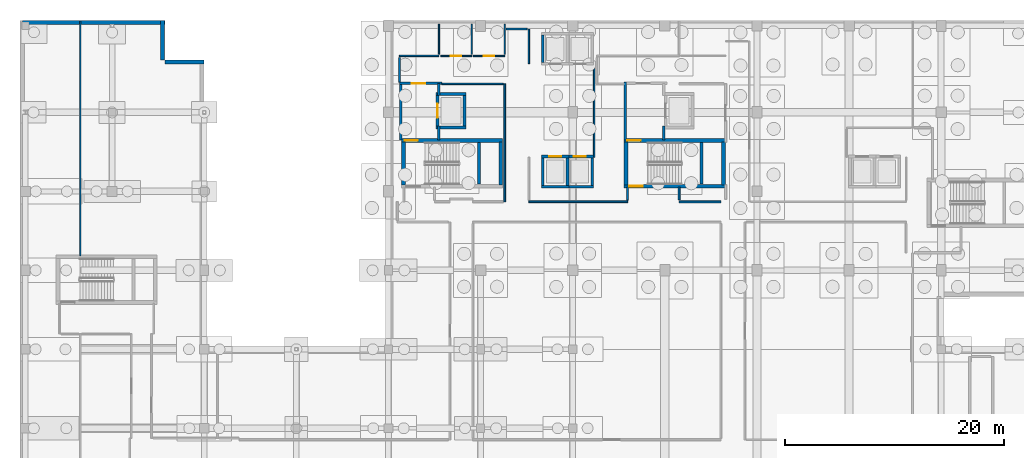
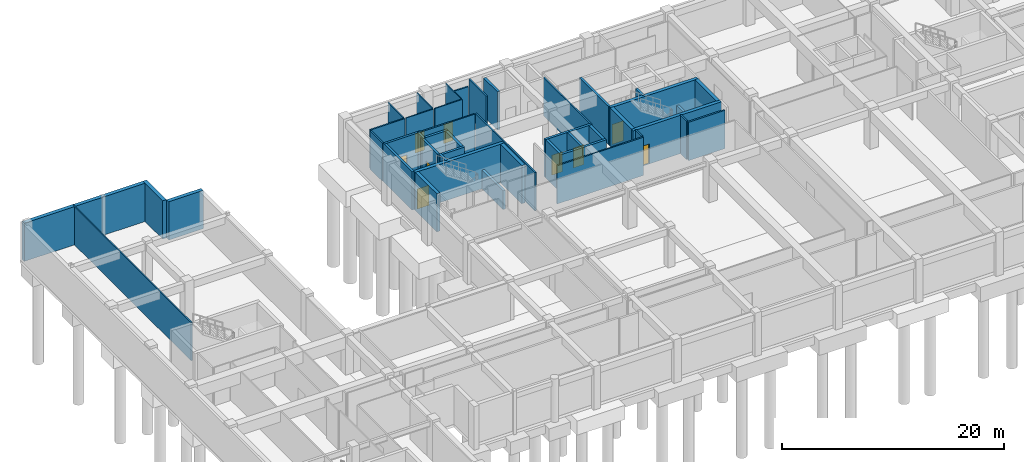
# One storey, part 30 of 42: 47 walls, 9 doors, 9 openings.
"""IFC4 building model written with IfcOpenShell, lengths in metres."""

from ifc_helpers import new_model, si_unit, direction, frame, frame_2d, origin, place, context, subcontext, project, spatial, rectangle, extrude, material, layer, layer_set, type_object, element, fill, save


model = new_model("IFC4")

# Units and contexts
model_context = context("Model", 3, precision=1e-05, world=origin(), true_north=direction((0.0, 1.0)))
body_context = subcontext(model_context, "Body", "Model", "MODEL_VIEW")
ifc_project = project(units=[si_unit("LENGTHUNIT", "METRE"), si_unit("AREAUNIT", "SQUARE_METRE"), si_unit("VOLUMEUNIT", "CUBIC_METRE"), si_unit("PLANEANGLEUNIT", "RADIAN"), si_unit("MASSUNIT", "GRAM", prefix="KILO")], contexts=[model_context])

# Site, building, storey
site_placement = place(None, origin())
site = spatial("IfcSite", under=ifc_project, at=site_placement, CompositionType="ELEMENT")
building_placement = place(site_placement, origin())
building = spatial("IfcBuilding", under=site, at=building_placement, Name="Quendrovan Civic Courthouse", CompositionType="ELEMENT")
storey_placement = place(building_placement, frame((0.0, 0.0, -4.5)))
storey = spatial("IfcBuildingStorey", under=building, at=storey_placement, Name="B1", CompositionType="ELEMENT", Elevation=-4.5)

# Walls
ifc_material_1 = material(Name="Concrete C35/45", Category="concrete")
ifc_layer_1 = layer(ifc_material_1, 0.3798828125, Name="Concrete C35/45")
ifc_layer_set_1 = layer_set([ifc_layer_1], Name="Concrete C35/45")
wall_type_1 = type_object("IfcWallType", Name="WL-BSM-RET380", PredefinedType="SOLIDWALL", material=ifc_layer_set_1)
wall_1_placement = place(storey_placement, frame((0.219970703125, 110.18994140625, 0.0), z_axis=(0.0, 0.0, 1.0), x_axis=(1.0, 0.0, 0.0)))
element("IfcWall", 1, at=wall_1_placement, inside=storey, type_object=wall_type_1, Name="B1 Perimeter Retaining Wall 002", PredefinedType="SOLIDWALL", context=body_context, shape_type="SweptSolid", body=[
    extrude(rectangle(XDim=12.97998046875, YDim=0.3798828125, at=frame_2d((6.489990234375, 0.0))), origin(), (0.0, 0.0, 1.0), 4.219970703125),
])
wall_2_placement = place(storey_placement, frame((12.989990234375, 110.39990234375, 0.0), z_axis=(0.0, 0.0, 1.0), x_axis=(0.0, -1.0, 0.0)))
element("IfcWall", 2, at=wall_2_placement, inside=storey, type_object=wall_type_1, Name="B1 Perimeter Retaining Wall 003", PredefinedType="SOLIDWALL", context=body_context, shape_type="SweptSolid", body=[
    extrude(rectangle(XDim=3.599853515625, YDim=0.3798828125, at=frame_2d((1.7998046875, 0.0))), origin(), (0.0, 0.0, 1.0), 4.219970703125),
])
wall_3_placement = place(storey_placement, frame((13.199951171875, 106.590087890625, 0.0), z_axis=(0.0, 0.0, 1.0), x_axis=(1.0, 0.0, 0.0)))
element("IfcWall", 3, at=wall_3_placement, inside=storey, type_object=wall_type_1, Name="B1 Perimeter Retaining Wall 004", PredefinedType="SOLIDWALL", context=body_context, shape_type="SweptSolid", body=[
    extrude(rectangle(XDim=3.60009765625, YDim=0.3798828125, at=frame_2d((1.800048828125, 0.0))), origin(), (0.0, 0.0, 1.0), 4.219970703125),
])

# Wall, opening, door
ifc_material_2 = material(Name="Concrete C45/55", Category="concrete")
ifc_layer_2 = layer(ifc_material_2, 0.35009765625, Name="Concrete C45/55")
ifc_layer_set_2 = layer_set([ifc_layer_2], Name="Concrete C45/55")
wall_type_2 = type_object("IfcWallType", Name="WL-CORE-350", PredefinedType="SHEAR", material=ifc_layer_set_2)
wall_4_placement = place(storey_placement, frame((44.010009765625, 99.43505859375, 0.0), z_axis=(0.0, 0.0, 1.0), x_axis=(-1.0, 0.0, 0.0)))
wall_4 = element("IfcWall", 4, at=wall_4_placement, inside=storey, type_object=wall_type_2, Name="B1 Core Shear Wall ST1-N", PredefinedType="SHEAR", context=body_context, shape_type="SweptSolid", body=[
    extrude(rectangle(XDim=9.219970703125, YDim=0.35009765625, at=frame_2d((4.60986328125, 0.0))), origin(), (0.0, 0.0, 1.0), 4.219970703125),
])
opening_1_placement = place(wall_4_placement, frame((7.719970703125, 0.0, 0.0)))
opening_1 = element("IfcOpeningElement", 5, at=opening_1_placement, cuts=wall_4, Name="Opening DFF-ST1-B1", PredefinedType="OPENING", context=body_context, shape_type="SweptSolid", body=[
    extrude(rectangle(XDim=1.199951171875, YDim=2.199951171875, at=frame_2d((0.60009765625, 1.10009765625))), frame((0.0, 0.18505859375, 0.0), z_axis=(0.0, -1.0, 0.0), x_axis=(1.0, 0.0, 0.0)), (0.0, 0.0, 1.0), 0.3701171875),
])
ifc_material_3 = material(Name="Painted galvanized hollow-metal steel", Category="steel")
door_type_1 = type_object("IfcDoorType", Name="DR-FFLOB-1200", OperationType="NOTDEFINED", PredefinedType="DOOR", material=ifc_material_3)
door_1_placement = place(opening_1_placement, origin())
door_1 = element("IfcDoor", 6, at=door_1_placement, inside=storey, type_object=door_type_1, Name="B1 Firefighting Lobby FL1 Direct Stair ST1 Door", OperationType="SINGLE_SWING_RIGHT", OverallHeight=2.199951171875, OverallWidth=1.199951171875, PredefinedType="DOOR", context=body_context, shape_type="SweptSolid", body=[
    extrude(rectangle(XDim=1.199951171875, YDim=2.199951171875, at=frame_2d((0.60009765625, 1.10009765625))), frame((0.0, 0.02490234375, 0.0), z_axis=(0.0, -1.0, 0.0), x_axis=(1.0, 0.0, 0.0)), (0.0, 0.0, 1.0), 0.050048828125),
])
fill(opening_1, door_1)

# Walls
for number, where, z_axis, x_axis, name in (
    (7, (34.965087890625, 95.39990234375, 0.0), (0.0, 0.0, 1.0), (0.0, 1.0, 0.0), "B1 Core Shear Wall ST1-W"),
    (8, (43.8349609375, 99.300048828125, 0.0), (0.0, 0.0, 1.0), (0.0, -1.0, 0.0), "B1 Core Shear Wall ST1-E"),
):
    element("IfcWall", number, at=place(storey_placement, frame(where, z_axis=z_axis, x_axis=x_axis)), inside=storey, type_object=wall_type_2, Name=name, PredefinedType="SHEAR", context=body_context, shape_type="SweptSolid", body=[
        extrude(rectangle(XDim=3.900146484375, YDim=0.35009765625, at=frame_2d((1.9501953125, 0.0))), origin(), (0.0, 0.0, 1.0), 4.219970703125),
    ])

# Wall, opening, door
wall_5_placement = place(storey_placement, frame((55.090087890625, 95.264892578125, 0.0), z_axis=(0.0, 0.0, 1.0), x_axis=(1.0, 0.0, 0.0)))
wall_5 = element("IfcWall", 9, at=wall_5_placement, inside=storey, type_object=wall_type_2, Name="B1 Core Shear Wall ST2-S", PredefinedType="SHEAR", context=body_context, shape_type="SweptSolid", body=[
    extrude(rectangle(XDim=9.219970703125, YDim=0.35009765625, at=frame_2d((4.60986328125, 0.0))), origin(), (0.0, 0.0, 1.0), 4.219970703125),
])
opening_2_placement = place(wall_5_placement, frame((0.449951171875, 0.0, 0.0)))
opening_2 = element("IfcOpeningElement", 10, at=opening_2_placement, cuts=wall_5, Name="Opening DS-ST2-B1", PredefinedType="OPENING", context=body_context, shape_type="SweptSolid", body=[
    extrude(rectangle(XDim=1.25, YDim=2.199951171875, at=frame_2d((0.625, 1.10009765625))), frame((0.0, 0.18505859375, 0.0), z_axis=(0.0, -1.0, 0.0), x_axis=(1.0, 0.0, 0.0)), (0.0, 0.0, 1.0), 0.3701171875),
])
door_type_2 = type_object("IfcDoorType", Name="DR-STAIR-1250", OperationType="NOTDEFINED", PredefinedType="DOOR", material=ifc_material_3)
door_2_placement = place(opening_2_placement, origin())
door_2 = element("IfcDoor", 11, at=door_2_placement, inside=storey, type_object=door_type_2, Name="B1 Exit Stair ST2 Fire Door", OperationType="SINGLE_SWING_LEFT", OverallHeight=2.199951171875, OverallWidth=1.25, PredefinedType="DOOR", context=body_context, shape_type="SweptSolid", body=[
    extrude(rectangle(XDim=1.25, YDim=2.199951171875, at=frame_2d((0.625, 1.10009765625))), frame((0.0, 0.02490234375, 0.0), z_axis=(0.0, -1.0, 0.0), x_axis=(1.0, 0.0, 0.0)), (0.0, 0.0, 1.0), 0.050048828125),
])
fill(opening_2, door_2)

wall_6_placement = place(storey_placement, frame((64.31005859375, 99.43505859375, 0.0), z_axis=(0.0, 0.0, 1.0), x_axis=(-1.0, 0.0, 0.0)))
wall_6 = element("IfcWall", 12, at=wall_6_placement, inside=storey, type_object=wall_type_2, Name="B1 Core Shear Wall ST2-N", PredefinedType="SHEAR", context=body_context, shape_type="SweptSolid", body=[
    extrude(rectangle(XDim=9.219970703125, YDim=0.35009765625, at=frame_2d((4.60986328125, 0.0))), origin(), (0.0, 0.0, 1.0), 4.219970703125),
])
opening_3_placement = place(wall_6_placement, frame((7.719970703125, 0.0, 0.0)))
opening_3 = element("IfcOpeningElement", 13, at=opening_3_placement, cuts=wall_6, Name="Opening DFF-ST2-B1", PredefinedType="OPENING", context=body_context, shape_type="SweptSolid", body=[
    extrude(rectangle(XDim=1.199951171875, YDim=2.199951171875, at=frame_2d((0.60009765625, 1.10009765625))), frame((0.0, 0.18505859375, 0.0), z_axis=(0.0, -1.0, 0.0), x_axis=(1.0, 0.0, 0.0)), (0.0, 0.0, 1.0), 0.3701171875),
])
door_3_placement = place(opening_3_placement, origin())
door_3 = element("IfcDoor", 14, at=door_3_placement, inside=storey, type_object=door_type_1, Name="B1 Firefighting Lobby FL2 Direct Stair ST2 Door", OperationType="SINGLE_SWING_RIGHT", OverallHeight=2.199951171875, OverallWidth=1.199951171875, PredefinedType="DOOR", context=body_context, shape_type="SweptSolid", body=[
    extrude(rectangle(XDim=1.199951171875, YDim=2.199951171875, at=frame_2d((0.60009765625, 1.10009765625))), frame((0.0, 0.02490234375, 0.0), z_axis=(0.0, -1.0, 0.0), x_axis=(1.0, 0.0, 0.0)), (0.0, 0.0, 1.0), 0.050048828125),
])
fill(opening_3, door_3)

# Walls
for number, where, z_axis, x_axis, name in (
    (15, (55.264892578125, 95.39990234375, 0.0), (0.0, 0.0, 1.0), (0.0, 1.0, 0.0), "B1 Core Shear Wall ST2-W"),
    (16, (64.135009765625, 99.300048828125, 0.0), (0.0, 0.0, 1.0), (0.0, -1.0, 0.0), "B1 Core Shear Wall ST2-E"),
):
    element("IfcWall", number, at=place(storey_placement, frame(where, z_axis=z_axis, x_axis=x_axis)), inside=storey, type_object=wall_type_2, Name=name, PredefinedType="SHEAR", context=body_context, shape_type="SweptSolid", body=[
        extrude(rectangle(XDim=3.900146484375, YDim=0.35009765625, at=frame_2d((1.9501953125, 0.0))), origin(), (0.0, 0.0, 1.0), 4.219970703125),
    ])
ifc_material_4 = material(Name="Acoustic gypsum and mineral wool partition")
ifc_layer_3 = layer(ifc_material_4, 0.179931640625, Name="Acoustic gypsum and mineral wool partition")
ifc_layer_set_3 = layer_set([ifc_layer_3], Name="Acoustic gypsum and mineral wool partition")
wall_type_3 = type_object("IfcWallType", Name="WL-CRT-AC180", PredefinedType="PARTITIONING", material=ifc_layer_set_3)
wall_7_placement = place(storey_placement, frame((63.89990234375, 93.85009765625, 0.0), z_axis=(0.0, 0.0, 1.0), x_axis=(-1.0, 0.0, 0.0)))
element("IfcWall", 17, at=wall_7_placement, inside=storey, type_object=wall_type_3, Name="B1 Electrical Substation and Standby Power Room Partition 0087", PredefinedType="PARTITIONING", context=body_context, shape_type="SweptSolid", body=[
    extrude(rectangle(XDim=3.7998046875, YDim=0.179931640625, at=frame_2d((1.89990234375, 0.0))), origin(), (0.0, 0.0, 1.0), 4.219970703125),
])
wall_8_placement = place(storey_placement, frame((60.10009765625, 94.02001953125, 0.0), z_axis=(0.0, 0.0, 1.0), x_axis=(0.0, 1.0, 0.0)))
element("IfcWall", 18, at=wall_8_placement, inside=storey, type_object=wall_type_3, Name="B1 Electrical Substation and Standby Power Room Partition 0153", PredefinedType="PARTITIONING", context=body_context, shape_type="SweptSolid", body=[
    extrude(rectangle(XDim=1.159912109375, YDim=0.179931640625, at=frame_2d((0.580078125, 0.0))), origin(), (0.0, 0.0, 1.0), 4.219970703125),
])

# Wall, opening, door
ifc_material_5 = material(Name="Concrete C40/50", Category="concrete")
ifc_layer_4 = layer(ifc_material_5, 0.22998046875, Name="Concrete C40/50")
ifc_layer_set_4 = layer_set([ifc_layer_4], Name="Concrete C40/50")
wall_type_4 = type_object("IfcWallType", Name="WL-FFLOB-230", PredefinedType="PARTITIONING", material=ifc_layer_set_4)
wall_9_placement = place(storey_placement, frame((34.590087890625, 104.64990234375, 0.0), z_axis=(0.0, 0.0, 1.0), x_axis=(1.0, 0.0, 0.0)))
wall_9 = element("IfcWall", 19, at=wall_9_placement, inside=storey, type_object=wall_type_4, Name="B1 Firefighting Lift Lobby FL1 Wall N", PredefinedType="PARTITIONING", context=body_context, shape_type="SweptSolid", body=[
    extrude(rectangle(XDim=3.889892578125, YDim=0.22998046875, at=frame_2d((1.94482421875, 0.0))), origin(), (0.0, 0.0, 1.0), 4.219970703125),
])
opening_4_placement = place(wall_9_placement, frame((1.14990234375, 0.0, 0.0)))
opening_4 = element("IfcOpeningElement", 20, at=opening_4_placement, cuts=wall_9, Name="Opening DF-FL1-B1N", PredefinedType="OPENING", context=body_context, shape_type="SweptSolid", body=[
    extrude(rectangle(XDim=1.199951171875, YDim=2.199951171875, at=frame_2d((0.60009765625, 1.10009765625))), frame((0.0, 0.125, 0.0), z_axis=(0.0, -1.0, 0.0), x_axis=(1.0, 0.0, 0.0)), (0.0, 0.0, 1.0), 0.25),
])
door_4_placement = place(opening_4_placement, origin())
door_4 = element("IfcDoor", 21, at=door_4_placement, inside=storey, type_object=door_type_1, Name="B1 Firefighting Lobby FL1 Fire Door N", OperationType="SINGLE_SWING_LEFT", OverallHeight=2.199951171875, OverallWidth=1.199951171875, PredefinedType="DOOR", context=body_context, shape_type="SweptSolid", body=[
    extrude(rectangle(XDim=1.199951171875, YDim=2.199951171875, at=frame_2d((0.60009765625, 1.10009765625))), frame((0.0, 0.02490234375, 0.0), z_axis=(0.0, -1.0, 0.0), x_axis=(1.0, 0.0, 0.0)), (0.0, 0.0, 1.0), 0.050048828125),
])
fill(opening_4, door_4)

# Walls
wall_10_placement = place(storey_placement, frame((34.699951171875, 99.5, 0.0), z_axis=(0.0, 0.0, 1.0), x_axis=(0.0, 1.0, 0.0)))
element("IfcWall", 22, at=wall_10_placement, inside=storey, type_object=wall_type_4, Name="B1 Firefighting Lift Lobby FL1 Wall W", PredefinedType="PARTITIONING", context=body_context, shape_type="SweptSolid", body=[
    extrude(rectangle(XDim=5.260009765625, YDim=0.22998046875, at=frame_2d((2.6298828125, 0.0))), origin(), (0.0, 0.0, 1.0), 4.219970703125),
])
wall_11_placement = place(storey_placement, frame((38.199951171875, 104.64990234375, 0.0), z_axis=(0.0, 0.0, 1.0), x_axis=(0.0, -1.0, 0.0)))
element("IfcWall", 23, at=wall_11_placement, inside=storey, type_object=wall_type_4, Name="B1 Firefighting Lift Lobby FL1 Wall EN", PredefinedType="PARTITIONING", context=body_context, shape_type="SweptSolid", body=[
    extrude(rectangle(XDim=1.099853515625, YDim=0.22998046875, at=frame_2d((0.5498046875, 0.0))), origin(), (0.0, 0.0, 1.0), 4.219970703125),
])
wall_12_placement = place(storey_placement, frame((38.199951171875, 100.75, 0.0), z_axis=(0.0, 0.0, 1.0), x_axis=(0.0, -1.0, 0.0)))
element("IfcWall", 24, at=wall_12_placement, inside=storey, type_object=wall_type_4, Name="B1 Firefighting Lift Lobby FL1 Wall ES", PredefinedType="PARTITIONING", context=body_context, shape_type="SweptSolid", body=[
    extrude(rectangle(XDim=1.25, YDim=0.22998046875, at=frame_2d((0.625, 0.0))), origin(), (0.0, 0.0, 1.0), 4.219970703125),
])
wall_13_placement = place(storey_placement, frame((55.199951171875, 99.5, 0.0), z_axis=(0.0, 0.0, 1.0), x_axis=(0.0, 1.0, 0.0)))
element("IfcWall", 25, at=wall_13_placement, inside=storey, type_object=wall_type_4, Name="B1 Firefighting Lift Lobby FL2 Wall W", PredefinedType="PARTITIONING", context=body_context, shape_type="SweptSolid", body=[
    extrude(rectangle(XDim=5.260009765625, YDim=0.22998046875, at=frame_2d((2.6298828125, 0.0))), origin(), (0.0, 0.0, 1.0), 4.219970703125),
])
wall_14_placement = place(storey_placement, frame((58.699951171875, 100.75, 0.0), z_axis=(0.0, 0.0, 1.0), x_axis=(0.0, -1.0, 0.0)))
element("IfcWall", 26, at=wall_14_placement, inside=storey, type_object=wall_type_4, Name="B1 Firefighting Lift Lobby FL2 Wall ES", PredefinedType="PARTITIONING", context=body_context, shape_type="SweptSolid", body=[
    extrude(rectangle(XDim=1.25, YDim=0.22998046875, at=frame_2d((0.625, 0.0))), origin(), (0.0, 0.0, 1.0), 4.219970703125),
])
ifc_material_6 = material(Name="Acoustic gypsum stud partition")
ifc_layer_5 = layer(ifc_material_6, 0.14990234375, Name="Acoustic gypsum stud partition")
ifc_layer_set_5 = layer_set([ifc_layer_5], Name="Acoustic gypsum stud partition")
wall_type_5 = type_object("IfcWallType", Name="WL-JURY-150", PredefinedType="PARTITIONING", material=ifc_layer_set_5)
wall_15_placement = place(storey_placement, frame((44.199951171875, 104.60009765625, 0.0), z_axis=(0.0, 0.0, 1.0), x_axis=(0.0, -1.0, 0.0)))
element("IfcWall", 27, at=wall_15_placement, inside=storey, type_object=wall_type_5, Name="B1 Courthouse Facilities and Maintenance Store Partition 0038", PredefinedType="PARTITIONING", context=body_context, shape_type="SweptSolid", body=[
    extrude(rectangle(XDim=10.75, YDim=0.14990234375, at=frame_2d((5.375, 0.0))), origin(), (0.0, 0.0, 1.0), 4.219970703125),
])
wall_16_placement = place(storey_placement, frame((55.39990234375, 93.85009765625, 0.0), z_axis=(0.0, 0.0, 1.0), x_axis=(-1.0, 0.0, 0.0)))
element("IfcWall", 28, at=wall_16_placement, inside=storey, type_object=wall_type_5, Name="B1 Courthouse Facilities and Maintenance Store Partition 0046", PredefinedType="PARTITIONING", context=body_context, shape_type="SweptSolid", body=[
    extrude(rectangle(XDim=9.0, YDim=0.14990234375, at=frame_2d((4.5, 0.0))), origin(), (0.0, 0.0, 1.0), 4.219970703125),
])
wall_17_placement = place(storey_placement, frame((52.35009765625, 97.89990234375, 0.0), z_axis=(0.0, 0.0, 1.0), x_axis=(0.0, 1.0, 0.0)))
element("IfcWall", 29, at=wall_17_placement, inside=storey, type_object=wall_type_5, Name="B1 Courthouse Facilities and Maintenance Store Partition 0047", PredefinedType="PARTITIONING", context=body_context, shape_type="SweptSolid", body=[
    extrude(rectangle(XDim=8.550048828125, YDim=0.14990234375, at=frame_2d((4.27490234375, 0.0))), origin(), (0.0, 0.0, 1.0), 4.219970703125),
])
wall_18_placement = place(storey_placement, frame((38.47998046875, 104.60009765625, 0.0), z_axis=(0.0, 0.0, 1.0), x_axis=(1.0, 0.0, 0.0)))
element("IfcWall", 30, at=wall_18_placement, inside=storey, type_object=wall_type_5, Name="B1 Courthouse Facilities and Maintenance Store Partition 0060", PredefinedType="PARTITIONING", context=body_context, shape_type="SweptSolid", body=[
    extrude(rectangle(XDim=5.56494140625, YDim=0.14990234375, at=frame_2d((2.782470703125, 0.0))), origin(), (0.0, 0.0, 1.0), 4.219970703125),
])
wall_19_placement = place(storey_placement, frame((38.199951171875, 107.14990234375, 0.0), z_axis=(0.0, 0.0, 1.0), x_axis=(-1.0, 0.0, 0.0)))
element("IfcWall", 31, at=wall_19_placement, inside=storey, type_object=wall_type_5, Name="B1 Courthouse Facilities and Maintenance Store Partition 0090", PredefinedType="PARTITIONING", context=body_context, shape_type="SweptSolid", body=[
    extrude(rectangle(XDim=3.599853515625, YDim=0.14990234375, at=frame_2d((1.7998046875, 0.0))), origin(), (0.0, 0.0, 1.0), 4.219970703125),
])
wall_20_placement = place(storey_placement, frame((46.39990234375, 106.449951171875, 0.0), z_axis=(0.0, 0.0, 1.0), x_axis=(0.0, 1.0, 0.0)))
element("IfcWall", 32, at=wall_20_placement, inside=storey, type_object=wall_type_5, Name="B1 Courthouse Facilities and Maintenance Store Partition 0095", PredefinedType="PARTITIONING", context=body_context, shape_type="SweptSolid", body=[
    extrude(rectangle(XDim=3.150146484375, YDim=0.14990234375, at=frame_2d((1.5751953125, 0.0))), origin(), (0.0, 0.0, 1.0), 4.219970703125),
])
wall_21_placement = place(storey_placement, frame((34.60009765625, 106.9951171875, 0.0), z_axis=(0.0, 0.0, 1.0), x_axis=(0.0, -1.0, 0.0)))
element("IfcWall", 33, at=wall_21_placement, inside=storey, type_object=wall_type_5, Name="B1 Courthouse Facilities and Maintenance Store Partition 0120", PredefinedType="PARTITIONING", context=body_context, shape_type="SweptSolid", body=[
    extrude(rectangle(XDim=2.22509765625, YDim=0.14990234375, at=frame_2d((1.112548828125, 0.0))), origin(), (0.0, 0.0, 1.0), 4.219970703125),
])
wall_22_placement = place(storey_placement, frame((46.2451171875, 109.60009765625, 0.0), z_axis=(0.0, 0.0, 1.0), x_axis=(-1.0, 0.0, 0.0)))
element("IfcWall", 34, at=wall_22_placement, inside=storey, type_object=wall_type_5, Name="B1 Courthouse Facilities and Maintenance Store Partition 0127", PredefinedType="PARTITIONING", context=body_context, shape_type="SweptSolid", body=[
    extrude(rectangle(XDim=1.91015625, YDim=0.14990234375, at=frame_2d((0.955078125, 0.0))), origin(), (0.0, 0.0, 1.0), 3.4599609375),
])
wall_23_placement = place(storey_placement, frame((55.39990234375, 95.179931640625, 0.0), z_axis=(0.0, 0.0, 1.0), x_axis=(0.0, -1.0, 0.0)))
element("IfcWall", 35, at=wall_23_placement, inside=storey, type_object=wall_type_5, Name="B1 Courthouse Facilities and Maintenance Store Partition 0150", PredefinedType="PARTITIONING", context=body_context, shape_type="SweptSolid", body=[
    extrude(rectangle(XDim=1.175048828125, YDim=0.14990234375, at=frame_2d((0.58740234375, 0.0))), origin(), (0.0, 0.0, 1.0), 4.219970703125),
])
ifc_material_7 = material(Name="Acoustic glazed-head stud partition")
ifc_layer_6 = layer(ifc_material_7, 0.1201171875, Name="Acoustic glazed-head stud partition")
ifc_layer_set_6 = layer_set([ifc_layer_6], Name="Acoustic glazed-head stud partition")
wall_type_6 = type_object("IfcWallType", Name="WL-LIB-120", PredefinedType="PARTITIONING", material=ifc_layer_set_6)
wall_24_placement = place(storey_placement, frame((5.5, 110.340087890625, 0.0), z_axis=(0.0, 0.0, 1.0), x_axis=(0.0, -1.0, 0.0)))
element("IfcWall", 36, at=wall_24_placement, inside=storey, type_object=wall_type_6, Name="B1 Rainwater Cistern and Water Treatment Room 2 Partition 0014", PredefinedType="PARTITIONING", context=body_context, shape_type="SweptSolid", body=[
    extrude(rectangle(XDim=21.420166015625, YDim=0.1201171875, at=frame_2d((10.7099609375, 0.0))), origin(), (0.0, 0.0, 1.0), 4.219970703125),
])
ifc_layer_7 = layer(ifc_material_2, 0.25, Name="Concrete C45/55")
ifc_layer_set_7 = layer_set([ifc_layer_7], Name="Concrete C45/55")
wall_type_7 = type_object("IfcWallType", Name="WL-SHAFT-250", PredefinedType="SHEAR", material=ifc_layer_set_7)
for number, where, z_axis, x_axis, name in (
    (37, (41.85009765625, 95.449951171875, 0.0), (0.0, 0.0, 1.0), (0.0, 1.0, 0.0), "B1 Stair ST1 Mid-Landing Bearing Wall"),
    (38, (62.14990234375, 95.449951171875, 0.0), (0.0, 0.0, 1.0), (0.0, 1.0, 0.0), "B1 Stair ST2 Mid-Landing Bearing Wall"),
):
    element("IfcWall", number, at=place(storey_placement, frame(where, z_axis=z_axis, x_axis=x_axis)), inside=storey, type_object=wall_type_7, Name=name, PredefinedType="SHEAR", context=body_context, shape_type="SweptSolid", body=[
        extrude(rectangle(XDim=3.800048828125, YDim=0.25, at=frame_2d((1.89990234375, 0.0))), origin(), (0.0, 0.0, 1.0), 2.070068359375),
    ])
wall_25_placement = place(storey_placement, frame((47.550048828125, 95.22509765625, 0.0), z_axis=(0.0, 0.0, 1.0), x_axis=(1.0, 0.0, 0.0)))
element("IfcWall", 39, at=wall_25_placement, inside=storey, type_object=wall_type_7, Name="B1 Lift Hoistway Wall PL3 -Y", PredefinedType="SHEAR", context=body_context, shape_type="SweptSolid", body=[
    extrude(rectangle(XDim=2.5, YDim=0.25, at=frame_2d((1.25, 0.0))), origin(), (0.0, 0.0, 1.0), 4.219970703125),
])

# Wall, opening, door
wall_26_placement = place(storey_placement, frame((50.050048828125, 97.97509765625, 0.0), z_axis=(0.0, 0.0, 1.0), x_axis=(-1.0, 0.0, 0.0)))
wall_26 = element("IfcWall", 40, at=wall_26_placement, inside=storey, type_object=wall_type_7, Name="B1 Lift Hoistway Wall PL3 +Y", PredefinedType="SHEAR", context=body_context, shape_type="SweptSolid", body=[
    extrude(rectangle(XDim=2.5, YDim=0.25, at=frame_2d((1.25, 0.0))), origin(), (0.0, 0.0, 1.0), 4.219970703125),
])
opening_5_placement = place(wall_26_placement, frame((0.699951171875, 0.0, 0.0)))
opening_5 = element("IfcOpeningElement", 41, at=opening_5_placement, cuts=wall_26, Name="Opening LD-PL3-B1", PredefinedType="OPENING", context=body_context, shape_type="SweptSolid", body=[
    extrude(rectangle(XDim=1.10009765625, YDim=2.199951171875, at=frame_2d((0.550048828125, 1.10009765625))), frame((0.0, 0.135009765625, 0.0), z_axis=(0.0, -1.0, 0.0), x_axis=(1.0, 0.0, 0.0)), (0.0, 0.0, 1.0), 0.27001953125),
])
ifc_material_8 = material(Name="Brushed bronze-anodised stainless steel", Category="steel")
door_type_3 = type_object("IfcDoorType", Name="DR-LIFT-LD-PL", OperationType="NOTDEFINED", PredefinedType="DOOR", material=ifc_material_8)
door_5_placement = place(opening_5_placement, origin())
door_5 = element("IfcDoor", 42, at=door_5_placement, inside=storey, type_object=door_type_3, Name="B1 Lift PL3 Sliding Landing Door", OperationType="SLIDING_TO_LEFT", OverallHeight=2.199951171875, OverallWidth=1.10009765625, PredefinedType="DOOR", context=body_context, shape_type="SweptSolid", body=[
    extrude(rectangle(XDim=1.10009765625, YDim=2.199951171875, at=frame_2d((0.550048828125, 1.10009765625))), frame((0.0, 0.02490234375, 0.0), z_axis=(0.0, -1.0, 0.0), x_axis=(1.0, 0.0, 0.0)), (0.0, 0.0, 1.0), 0.050048828125),
])
fill(opening_5, door_5)

# Walls
for number, where, z_axis, x_axis, name in (
    (43, (47.675048828125, 95.35009765625, 0.0), (0.0, 0.0, 1.0), (0.0, 1.0, 0.0), "B1 Lift Hoistway Wall PL3 -X"),
    (44, (49.925048828125, 97.85009765625, 0.0), (0.0, 0.0, 1.0), (0.0, -1.0, 0.0), "B1 Lift Hoistway Wall PL3 +X"),
    (45, (49.800048828125, 95.22509765625, 0.0), (0.0, 0.0, 1.0), (1.0, 0.0, 0.0), "B1 Lift Hoistway Wall PL4 -Y"),
):
    element("IfcWall", number, at=place(storey_placement, frame(where, z_axis=z_axis, x_axis=x_axis)), inside=storey, type_object=wall_type_7, Name=name, PredefinedType="SHEAR", context=body_context, shape_type="SweptSolid", body=[
        extrude(rectangle(XDim=2.5, YDim=0.25, at=frame_2d((1.25, 0.0))), origin(), (0.0, 0.0, 1.0), 4.219970703125),
    ])

# Wall, opening, door
wall_27_placement = place(storey_placement, frame((52.300048828125, 97.97509765625, 0.0), z_axis=(0.0, 0.0, 1.0), x_axis=(-1.0, 0.0, 0.0)))
wall_27 = element("IfcWall", 46, at=wall_27_placement, inside=storey, type_object=wall_type_7, Name="B1 Lift Hoistway Wall PL4 +Y", PredefinedType="SHEAR", context=body_context, shape_type="SweptSolid", body=[
    extrude(rectangle(XDim=2.5, YDim=0.25, at=frame_2d((1.25, 0.0))), origin(), (0.0, 0.0, 1.0), 4.219970703125),
])
opening_6_placement = place(wall_27_placement, frame((0.699951171875, 0.0, 0.0)))
opening_6 = element("IfcOpeningElement", 47, at=opening_6_placement, cuts=wall_27, Name="Opening LD-PL4-B1", PredefinedType="OPENING", context=body_context, shape_type="SweptSolid", body=[
    extrude(rectangle(XDim=1.10009765625, YDim=2.199951171875, at=frame_2d((0.550048828125, 1.10009765625))), frame((0.0, 0.135009765625, 0.0), z_axis=(0.0, -1.0, 0.0), x_axis=(1.0, 0.0, 0.0)), (0.0, 0.0, 1.0), 0.27001953125),
])
door_6_placement = place(opening_6_placement, origin())
door_6 = element("IfcDoor", 48, at=door_6_placement, inside=storey, type_object=door_type_3, Name="B1 Lift PL4 Sliding Landing Door", OperationType="SLIDING_TO_LEFT", OverallHeight=2.199951171875, OverallWidth=1.10009765625, PredefinedType="DOOR", context=body_context, shape_type="SweptSolid", body=[
    extrude(rectangle(XDim=1.10009765625, YDim=2.199951171875, at=frame_2d((0.550048828125, 1.10009765625))), frame((0.0, 0.02490234375, 0.0), z_axis=(0.0, -1.0, 0.0), x_axis=(1.0, 0.0, 0.0)), (0.0, 0.0, 1.0), 0.050048828125),
])
fill(opening_6, door_6)

# Walls
for number, where, z_axis, x_axis, name in (
    (49, (52.175048828125, 97.85009765625, 0.0), (0.0, 0.0, 1.0), (0.0, -1.0, 0.0), "B1 Lift Hoistway Wall PL4 +X"),
    (50, (47.675048828125, 106.550048828125, 0.0), (0.0, 0.0, 1.0), (0.0, 1.0, 0.0), "B1 Lift Hoistway Wall JL1 -X"),
):
    element("IfcWall", number, at=place(storey_placement, frame(where, z_axis=z_axis, x_axis=x_axis)), inside=storey, type_object=wall_type_7, Name=name, PredefinedType="SHEAR", context=body_context, shape_type="SweptSolid", body=[
        extrude(rectangle(XDim=2.5, YDim=0.25, at=frame_2d((1.25, 0.0))), origin(), (0.0, 0.0, 1.0), 4.219970703125),
    ])
for number, where, z_axis, x_axis, name in (
    (51, (37.949951171875, 100.625, 0.0), (0.0, 0.0, 1.0), (1.0, 0.0, 0.0), "B1 Lift Hoistway Wall FL1 -Y"),
    (52, (40.64990234375, 103.675048828125, 0.0), (0.0, 0.0, 1.0), (-1.0, 0.0, 0.0), "B1 Lift Hoistway Wall FL1 +Y"),
):
    element("IfcWall", number, at=place(storey_placement, frame(where, z_axis=z_axis, x_axis=x_axis)), inside=storey, type_object=wall_type_7, Name=name, PredefinedType="SHEAR", context=body_context, shape_type="SweptSolid", body=[
        extrude(rectangle(XDim=2.699951171875, YDim=0.25, at=frame_2d((1.35009765625, 0.0))), origin(), (0.0, 0.0, 1.0), 4.219970703125),
    ])

# Wall, opening, door
wall_28_placement = place(storey_placement, frame((38.074951171875, 100.75, 0.0), z_axis=(0.0, 0.0, 1.0), x_axis=(0.0, 1.0, 0.0)))
wall_28 = element("IfcWall", 53, at=wall_28_placement, inside=storey, type_object=wall_type_7, Name="B1 Lift Hoistway Wall FL1 -X", PredefinedType="SHEAR", context=body_context, shape_type="SweptSolid", body=[
    extrude(rectangle(XDim=2.800048828125, YDim=0.25, at=frame_2d((1.39990234375, 0.0))), origin(), (0.0, 0.0, 1.0), 4.219970703125),
])
opening_7_placement = place(wall_28_placement, frame((0.75, 0.0, 0.0)))
opening_7 = element("IfcOpeningElement", 54, at=opening_7_placement, cuts=wall_28, Name="Opening LD-FL1-B1", PredefinedType="OPENING", context=body_context, shape_type="SweptSolid", body=[
    extrude(rectangle(XDim=1.300048828125, YDim=2.25, at=frame_2d((0.64990234375, 1.125))), frame((0.0, 0.135009765625, 0.0), z_axis=(0.0, -1.0, 0.0), x_axis=(1.0, 0.0, 0.0)), (0.0, 0.0, 1.0), 0.27001953125),
])
ifc_material_9 = material(Name="Smoke-tight fire-service stainless steel", Category="steel")
door_type_4 = type_object("IfcDoorType", Name="DR-LIFT-LD-FL", OperationType="NOTDEFINED", PredefinedType="DOOR", material=ifc_material_9)
door_7_placement = place(opening_7_placement, origin())
door_7 = element("IfcDoor", 55, at=door_7_placement, inside=storey, type_object=door_type_4, Name="B1 Lift FL1 Sliding Landing Door", OperationType="SLIDING_TO_LEFT", OverallHeight=2.25, OverallWidth=1.300048828125, PredefinedType="DOOR", context=body_context, shape_type="SweptSolid", body=[
    extrude(rectangle(XDim=1.300048828125, YDim=2.25, at=frame_2d((0.64990234375, 1.125))), frame((0.0, 0.02490234375, 0.0), z_axis=(0.0, -1.0, 0.0), x_axis=(1.0, 0.0, 0.0)), (0.0, 0.0, 1.0), 0.050048828125),
])
fill(opening_7, door_7)

# Wall
wall_29_placement = place(storey_placement, frame((40.52490234375, 103.550048828125, 0.0), z_axis=(0.0, 0.0, 1.0), x_axis=(0.0, -1.0, 0.0)))
element("IfcWall", 56, at=wall_29_placement, inside=storey, type_object=wall_type_7, Name="B1 Lift Hoistway Wall FL1 +X", PredefinedType="SHEAR", context=body_context, shape_type="SweptSolid", body=[
    extrude(rectangle(XDim=2.800048828125, YDim=0.25, at=frame_2d((1.39990234375, 0.0))), origin(), (0.0, 0.0, 1.0), 4.219970703125),
])

# Wall, opening, door
ifc_material_10 = material(Name="Moisture-resistant tile-backer partition")
ifc_layer_8 = layer(ifc_material_10, 0.110107421875, Name="Moisture-resistant tile-backer partition")
ifc_layer_set_8 = layer_set([ifc_layer_8], Name="Moisture-resistant tile-backer partition")
wall_type_8 = type_object("IfcWallType", Name="WL-WET-110", PredefinedType="PARTITIONING", material=ifc_layer_set_8)
wall_30_placement = place(storey_placement, frame((41.199951171875, 107.14990234375, 0.0), z_axis=(0.0, 0.0, 1.0), x_axis=(-1.0, 0.0, 0.0)))
wall_30 = element("IfcWall", 57, at=wall_30_placement, inside=storey, type_object=wall_type_8, Name="B1 B1 Accessible WC Partition 0100", PredefinedType="PARTITIONING", context=body_context, shape_type="SweptSolid", body=[
    extrude(rectangle(XDim=2.844970703125, YDim=0.110107421875, at=frame_2d((1.42236328125, 0.0))), origin(), (0.0, 0.0, 1.0), 4.219970703125),
])
opening_8_placement = place(wall_30_placement, frame((0.9423828125, 0.0, 0.0)))
opening_8 = element("IfcOpeningElement", 58, at=opening_8_placement, cuts=wall_30, Name="Opening D-B1-001", PredefinedType="OPENING", context=body_context, shape_type="SweptSolid", body=[
    extrude(rectangle(XDim=0.9599609375, YDim=2.139892578125, at=frame_2d((0.47998046875, 1.06982421875))), frame((0.0, 0.06494140625, 0.0), z_axis=(0.0, -1.0, 0.0), x_axis=(1.0, 0.0, 0.0)), (0.0, 0.0, 1.0), 0.130126953125),
])
ifc_material_11 = material(Name="Moisture-resistant laminate timber door", Category="wood")
door_type_5 = type_object("IfcDoorType", Name="DR-WC-ACC-960", OperationType="NOTDEFINED", PredefinedType="DOOR", material=ifc_material_11)
door_8_placement = place(opening_8_placement, origin())
door_8 = element("IfcDoor", 59, at=door_8_placement, inside=storey, type_object=door_type_5, Name="B1 B1 Accessible WC Door D-B1-001", OperationType="SINGLE_SWING_RIGHT", OverallHeight=2.139892578125, OverallWidth=0.9599609375, PredefinedType="DOOR", context=body_context, shape_type="SweptSolid", body=[
    extrude(rectangle(XDim=0.9599609375, YDim=2.139892578125, at=frame_2d((0.47998046875, 1.06982421875))), frame((0.0, 0.02490234375, 0.0), z_axis=(0.0, -1.0, 0.0), x_axis=(1.0, 0.0, 0.0)), (0.0, 0.0, 1.0), 0.050048828125),
])
fill(opening_8, door_8)

wall_31_placement = place(storey_placement, frame((44.199951171875, 107.14990234375, 0.0), z_axis=(0.0, 0.0, 1.0), x_axis=(-1.0, 0.0, 0.0)))
wall_31 = element("IfcWall", 60, at=wall_31_placement, inside=storey, type_object=wall_type_8, Name="B1 B1 Judicial and Public Restroom Partition 0101", PredefinedType="PARTITIONING", context=body_context, shape_type="SweptSolid", body=[
    extrude(rectangle(XDim=2.864990234375, YDim=0.110107421875, at=frame_2d((1.4326171875, 0.0))), origin(), (0.0, 0.0, 1.0), 4.219970703125),
])
opening_9_placement = place(wall_31_placement, frame((0.972412109375, 0.0, 0.0)))
opening_9 = element("IfcOpeningElement", 61, at=opening_9_placement, cuts=wall_31, Name="Opening D-B1-002", PredefinedType="OPENING", context=body_context, shape_type="SweptSolid", body=[
    extrude(rectangle(XDim=0.919921875, YDim=2.1201171875, at=frame_2d((0.4599609375, 1.06005859375))), frame((0.0, 0.06494140625, 0.0), z_axis=(0.0, -1.0, 0.0), x_axis=(1.0, 0.0, 0.0)), (0.0, 0.0, 1.0), 0.130126953125),
])
door_type_6 = type_object("IfcDoorType", Name="DR-WC-STD-920", OperationType="NOTDEFINED", PredefinedType="DOOR", material=ifc_material_11)
door_9_placement = place(opening_9_placement, origin())
door_9 = element("IfcDoor", 62, at=door_9_placement, inside=storey, type_object=door_type_6, Name="B1 B1 Judicial and Public Restroom Door D-B1-002", OperationType="SINGLE_SWING_LEFT", OverallHeight=2.1201171875, OverallWidth=0.919921875, PredefinedType="DOOR", context=body_context, shape_type="SweptSolid", body=[
    extrude(rectangle(XDim=0.919921875, YDim=2.1201171875, at=frame_2d((0.4599609375, 1.06005859375))), frame((0.0, 0.02490234375, 0.0), z_axis=(0.0, -1.0, 0.0), x_axis=(1.0, 0.0, 0.0)), (0.0, 0.0, 1.0), 0.050048828125),
])
fill(opening_9, door_9)

# Walls
wall_32_placement = place(storey_placement, frame((41.199951171875, 110.050048828125, 0.0), z_axis=(0.0, 0.0, 1.0), x_axis=(0.0, -1.0, 0.0)))
element("IfcWall", 63, at=wall_32_placement, inside=storey, type_object=wall_type_8, Name="B1 B1 Accessible WC Partition 0105", PredefinedType="PARTITIONING", context=body_context, shape_type="SweptSolid", body=[
    extrude(rectangle(XDim=2.76513671875, YDim=0.110107421875, at=frame_2d((1.382568359375, 0.0))), origin(), (0.0, 0.0, 1.0), 4.219970703125),
])
wall_33_placement = place(storey_placement, frame((38.199951171875, 107.304931640625, 0.0), z_axis=(0.0, 0.0, 1.0), x_axis=(0.0, 1.0, 0.0)))
element("IfcWall", 64, at=wall_33_placement, inside=storey, type_object=wall_type_8, Name="B1 B1 Accessible WC Partition 0106", PredefinedType="PARTITIONING", context=body_context, shape_type="SweptSolid", body=[
    extrude(rectangle(XDim=2.7451171875, YDim=0.110107421875, at=frame_2d((1.37255859375, 0.0))), origin(), (0.0, 0.0, 1.0), 4.219970703125),
])
wall_34_placement = place(storey_placement, frame((44.199951171875, 110.050048828125, 0.0), z_axis=(0.0, 0.0, 1.0), x_axis=(0.0, -1.0, 0.0)))
element("IfcWall", 65, at=wall_34_placement, inside=storey, type_object=wall_type_8, Name="B1 B1 Judicial and Public Restroom Partition 0107", PredefinedType="PARTITIONING", context=body_context, shape_type="SweptSolid", body=[
    extrude(rectangle(XDim=2.76513671875, YDim=0.110107421875, at=frame_2d((1.382568359375, 0.0))), origin(), (0.0, 0.0, 1.0), 4.219970703125),
])

save(model, "model.ifc")
